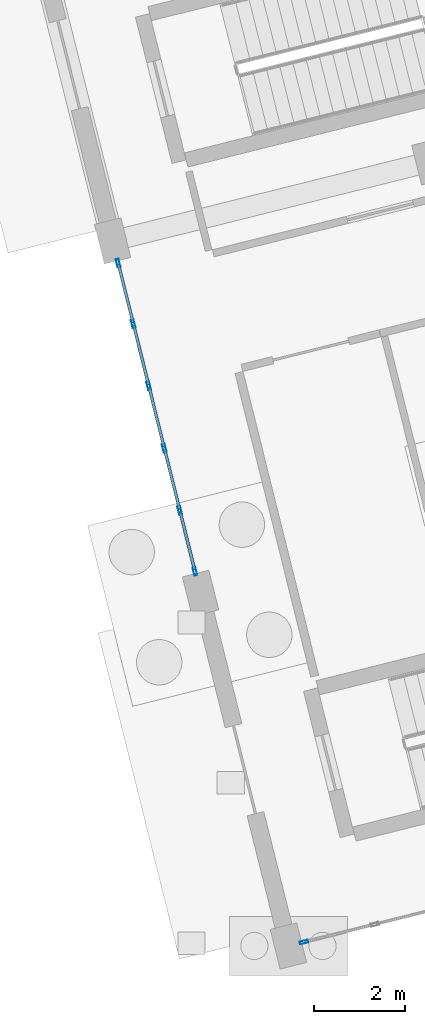
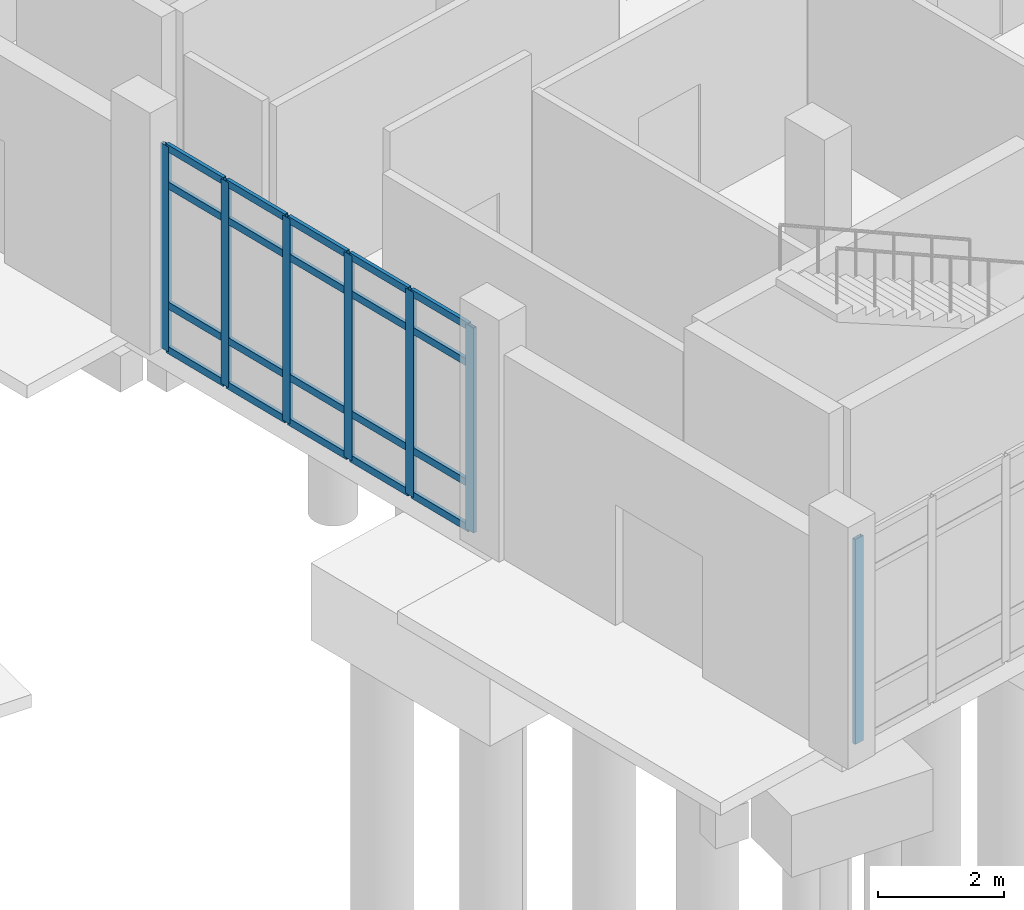
# One storey, part 49 of 173: 27 members, 2 elements without a shape of their own.
"""IFC4 building model written with IfcOpenShell, lengths in metres."""

from ifc_helpers import new_model, si_unit, direction, frame, origin, origin_2d, place, context, subcontext, project, spatial, hollow_rectangle, extrude, material, layer, layer_set, material_profile, profile_set, type_object, element, aggregate, save


model = new_model("IFC4")

# Units and contexts
model_context = context("Model", 3, precision=1e-05, world=origin(), true_north=direction((0.0, 1.0)))
body_context = subcontext(model_context, "Body", "Model", "MODEL_VIEW")
ifc_project = project(units=[si_unit("LENGTHUNIT", "METRE"), si_unit("AREAUNIT", "SQUARE_METRE"), si_unit("VOLUMEUNIT", "CUBIC_METRE"), si_unit("PLANEANGLEUNIT", "RADIAN"), si_unit("MASSUNIT", "GRAM", prefix="KILO")], contexts=[model_context])

# Site, building, storey
site_placement = place(None, origin())
site = spatial("IfcSite", under=ifc_project, at=site_placement, CompositionType="ELEMENT")
building_placement = place(site_placement, origin())
building = spatial("IfcBuilding", under=site, at=building_placement, Name="Mawjan Specialist Oncology Clinic", CompositionType="ELEMENT")
storey_placement = place(building_placement, origin())
storey = spatial("IfcBuildingStorey", under=building, at=storey_placement, Name="L00", CompositionType="ELEMENT", Elevation=0.0)

# Curtain wall, member
ifc_material_1 = material(Name="Unitised spectrally selective aluminium curtain wall", Category="aluminium")
ifc_layer_1 = layer(ifc_material_1, 0.179931640625, Name="Unitised spectrally selective aluminium curtain wall", Category="aluminium")
ifc_layer_set_1 = layer_set([ifc_layer_1], Name="Unitised spectrally selective aluminium curtain wall")
curtain_wall_type_1 = type_object("IfcCurtainWallType", Name="CW-37", PredefinedType="NOTDEFINED", material=ifc_layer_set_1)
curtain_wall_1_placement = place(storey_placement, origin())
curtain_wall_1 = element("IfcCurtainWall", 1, at=curtain_wall_1_placement, inside=storey, type_object=curtain_wall_type_1, Name="L00 Unitised Curtain Wall CW-L00-078", PredefinedType="NOTDEFINED")
ifc_material_2 = material(Name="Thermally broken aluminium 6063-T6", Category="aluminium")
ifc_material_profile_1 = material_profile(ifc_material_2, hollow_rectangle(XDim=0.06494140625, YDim=0.179931640625, WallThickness=0.00390625, at=origin_2d()), Name="ALU MULLION 180x65x4", Category="aluminium")
ifc_profile_set_1 = profile_set([ifc_material_profile_1], Name="Thermally broken aluminium 6063-T6")
member_type_1 = type_object("IfcMemberType", Name="CW-M180", PredefinedType="MULLION", material=ifc_profile_set_1)
member_1_placement = place(storey_placement, frame((126.342041015625, 0.88525390625, 0.0), z_axis=(0.0, 0.0, 1.0), x_axis=(0.241921982475, -0.970295704615, 0.0)))
member_1 = element("IfcMember", 2, at=member_1_placement, type_object=member_type_1, Name="CW-37 mullion 5", PredefinedType="MULLION", context=body_context, shape_type="SweptSolid", body=[
    extrude(hollow_rectangle(XDim=0.06494140625, YDim=0.179931640625, WallThickness=0.00390625, at=origin_2d()), origin(), (0.0, 0.0, 1.0), 3.985107421875),
])
aggregate(curtain_wall_1, [member_1])

# Curtain wall, members
ifc_material_3 = material(Name="Unitised spectrally selective aluminium curtain wall", Category="aluminium")
ifc_layer_2 = layer(ifc_material_3, 0.179931640625, Name="Unitised spectrally selective aluminium curtain wall", Category="aluminium")
ifc_layer_set_2 = layer_set([ifc_layer_2], Name="Unitised spectrally selective aluminium curtain wall")
curtain_wall_type_2 = type_object("IfcCurtainWallType", Name="CW-38", PredefinedType="NOTDEFINED", material=ifc_layer_set_2)
curtain_wall_2_placement = place(storey_placement, origin())
curtain_wall_2 = element("IfcCurtainWall", 3, at=curtain_wall_2_placement, inside=storey, type_object=curtain_wall_type_2, Name="L00 Unitised Curtain Wall CW-L00-079", PredefinedType="NOTDEFINED")
member_2_placement = place(storey_placement, frame((123.943115234375, 9.050048828125, 0.0), z_axis=(0.0, 0.0, 1.0), x_axis=(-0.97029568059, -0.241922078835, 0.0)))
member_2 = element("IfcMember", 4, at=member_2_placement, type_object=member_type_1, Name="CW-38 mullion 1", PredefinedType="MULLION", context=body_context, shape_type="SweptSolid", body=[
    extrude(hollow_rectangle(XDim=0.06494140625, YDim=0.179931640625, WallThickness=0.00390625, at=origin_2d()), origin(), (0.0, 0.0, 1.0), 3.985107421875),
])
member_3_placement = place(storey_placement, frame((123.609375, 10.388427734375, 0.0), z_axis=(0.0, 0.0, 1.0), x_axis=(-0.97029568059, -0.241922078835, 0.0)))
member_3 = element("IfcMember", 5, at=member_3_placement, type_object=member_type_1, Name="CW-38 mullion 2", PredefinedType="MULLION", context=body_context, shape_type="SweptSolid", body=[
    extrude(hollow_rectangle(XDim=0.06494140625, YDim=0.179931640625, WallThickness=0.00390625, at=origin_2d()), origin(), (0.0, 0.0, 1.0), 3.985107421875),
])
member_4_placement = place(storey_placement, frame((123.267822265625, 11.758544921875, 0.0), z_axis=(0.0, 0.0, 1.0), x_axis=(-0.97029568059, -0.241922078835, 0.0)))
member_4 = element("IfcMember", 6, at=member_4_placement, type_object=member_type_1, Name="CW-38 mullion 3", PredefinedType="MULLION", context=body_context, shape_type="SweptSolid", body=[
    extrude(hollow_rectangle(XDim=0.06494140625, YDim=0.179931640625, WallThickness=0.00390625, at=origin_2d()), origin(), (0.0, 0.0, 1.0), 3.985107421875),
])
member_5_placement = place(storey_placement, frame((122.926025390625, 13.128662109375, 0.0), z_axis=(0.0, 0.0, 1.0), x_axis=(-0.97029568059, -0.241922078835, 0.0)))
member_5 = element("IfcMember", 7, at=member_5_placement, type_object=member_type_1, Name="CW-38 mullion 4", PredefinedType="MULLION", context=body_context, shape_type="SweptSolid", body=[
    extrude(hollow_rectangle(XDim=0.06494140625, YDim=0.179931640625, WallThickness=0.00390625, at=origin_2d()), origin(), (0.0, 0.0, 1.0), 3.985107421875),
])
member_6_placement = place(storey_placement, frame((122.58447265625, 14.49853515625, 0.0), z_axis=(0.0, 0.0, 1.0), x_axis=(-0.97029568059, -0.241922078835, 0.0)))
member_6 = element("IfcMember", 8, at=member_6_placement, type_object=member_type_1, Name="CW-38 mullion 5", PredefinedType="MULLION", context=body_context, shape_type="SweptSolid", body=[
    extrude(hollow_rectangle(XDim=0.06494140625, YDim=0.179931640625, WallThickness=0.00390625, at=origin_2d()), origin(), (0.0, 0.0, 1.0), 3.985107421875),
])
member_7_placement = place(storey_placement, frame((122.250732421875, 15.837158203125, 0.0), z_axis=(0.0, 0.0, 1.0), x_axis=(-0.97029568059, -0.241922078835, 0.0)))
member_7 = element("IfcMember", 9, at=member_7_placement, type_object=member_type_1, Name="CW-38 mullion 6", PredefinedType="MULLION", context=body_context, shape_type="SweptSolid", body=[
    extrude(hollow_rectangle(XDim=0.06494140625, YDim=0.179931640625, WallThickness=0.00390625, at=origin_2d()), origin(), (0.0, 0.0, 1.0), 3.985107421875),
])
ifc_material_4 = material(Name="Thermally broken aluminium 6063-T6", Category="aluminium")
ifc_material_profile_2 = material_profile(ifc_material_4, hollow_rectangle(XDim=0.06494140625, YDim=0.139892578125, WallThickness=0.00390625, at=origin_2d()), Name="ALU TRANSOM 140x65x4", Category="aluminium")
ifc_profile_set_2 = profile_set([ifc_material_profile_2], Name="Thermally broken aluminium 6063-T6")
member_type_2 = type_object("IfcMemberType", Name="CW-T140", PredefinedType="USERDEFINED", material=ifc_profile_set_2)
member_8_placement = place(storey_placement, frame((123.935302734375, 9.08154296875, 0.032470703125), z_axis=(-0.242011164703, 0.970273464627, 0.0), x_axis=(-0.970273464627, -0.242011164703, 0.0)))
member_8 = element("IfcMember", 10, at=member_8_placement, type_object=member_type_2, Name="CW-38 transom 1.1", ObjectType="TRANSOM", PredefinedType="USERDEFINED", context=body_context, shape_type="SweptSolid", body=[
    extrude(hollow_rectangle(XDim=0.06494140625, YDim=0.139892578125, WallThickness=0.00390625, at=origin_2d()), origin(), (0.0, 0.0, 1.0), 1.314453125),
])
member_9_placement = place(storey_placement, frame((123.935302734375, 9.08154296875, 0.89990234375), z_axis=(-0.242011164703, 0.970273464627, 0.0), x_axis=(-0.970273464627, -0.242011164703, 0.0)))
member_9 = element("IfcMember", 11, at=member_9_placement, type_object=member_type_2, Name="CW-38 transom 1.2", ObjectType="TRANSOM", PredefinedType="USERDEFINED", context=body_context, shape_type="SweptSolid", body=[
    extrude(hollow_rectangle(XDim=0.06494140625, YDim=0.139892578125, WallThickness=0.00390625, at=origin_2d()), origin(), (0.0, 0.0, 1.0), 1.314453125),
])
member_10_placement = place(storey_placement, frame((123.935302734375, 9.08154296875, 3.235107421875), z_axis=(-0.242011164703, 0.970273464627, 0.0), x_axis=(-0.970273464627, -0.242011164703, 0.0)))
member_10 = element("IfcMember", 12, at=member_10_placement, type_object=member_type_2, Name="CW-38 transom 1.3", ObjectType="TRANSOM", PredefinedType="USERDEFINED", context=body_context, shape_type="SweptSolid", body=[
    extrude(hollow_rectangle(XDim=0.06494140625, YDim=0.139892578125, WallThickness=0.00390625, at=origin_2d()), origin(), (0.0, 0.0, 1.0), 1.314453125),
])
member_11_placement = place(storey_placement, frame((123.935302734375, 9.08154296875, 3.952392578125), z_axis=(-0.242011164703, 0.970273464627, 0.0), x_axis=(-0.970273464627, -0.242011164703, 0.0)))
member_11 = element("IfcMember", 13, at=member_11_placement, type_object=member_type_2, Name="CW-38 transom 1.4", ObjectType="TRANSOM", PredefinedType="USERDEFINED", context=body_context, shape_type="SweptSolid", body=[
    extrude(hollow_rectangle(XDim=0.06494140625, YDim=0.139892578125, WallThickness=0.00390625, at=origin_2d()), origin(), (0.0, 0.0, 1.0), 1.314453125),
])
member_12_placement = place(storey_placement, frame((123.6015625, 10.419921875, 0.032470703125), z_axis=(-0.241938594701, 0.97029156257, 0.0), x_axis=(-0.97029156257, -0.241938594701, 0.0)))
member_12 = element("IfcMember", 14, at=member_12_placement, type_object=member_type_2, Name="CW-38 transom 2.1", ObjectType="TRANSOM", PredefinedType="USERDEFINED", context=body_context, shape_type="SweptSolid", body=[
    extrude(hollow_rectangle(XDim=0.06494140625, YDim=0.139892578125, WallThickness=0.00390625, at=origin_2d()), origin(), (0.0, 0.0, 1.0), 1.34716796875),
])
member_13_placement = place(storey_placement, frame((123.6015625, 10.419921875, 0.89990234375), z_axis=(-0.241938594701, 0.97029156257, 0.0), x_axis=(-0.97029156257, -0.241938594701, 0.0)))
member_13 = element("IfcMember", 15, at=member_13_placement, type_object=member_type_2, Name="CW-38 transom 2.2", ObjectType="TRANSOM", PredefinedType="USERDEFINED", context=body_context, shape_type="SweptSolid", body=[
    extrude(hollow_rectangle(XDim=0.06494140625, YDim=0.139892578125, WallThickness=0.00390625, at=origin_2d()), origin(), (0.0, 0.0, 1.0), 1.34716796875),
])
member_14_placement = place(storey_placement, frame((123.6015625, 10.419921875, 3.235107421875), z_axis=(-0.241938594701, 0.97029156257, 0.0), x_axis=(-0.97029156257, -0.241938594701, 0.0)))
member_14 = element("IfcMember", 16, at=member_14_placement, type_object=member_type_2, Name="CW-38 transom 2.3", ObjectType="TRANSOM", PredefinedType="USERDEFINED", context=body_context, shape_type="SweptSolid", body=[
    extrude(hollow_rectangle(XDim=0.06494140625, YDim=0.139892578125, WallThickness=0.00390625, at=origin_2d()), origin(), (0.0, 0.0, 1.0), 1.34716796875),
])
member_15_placement = place(storey_placement, frame((123.6015625, 10.419921875, 3.952392578125), z_axis=(-0.241938594701, 0.97029156257, 0.0), x_axis=(-0.97029156257, -0.241938594701, 0.0)))
member_15 = element("IfcMember", 17, at=member_15_placement, type_object=member_type_2, Name="CW-38 transom 2.4", ObjectType="TRANSOM", PredefinedType="USERDEFINED", context=body_context, shape_type="SweptSolid", body=[
    extrude(hollow_rectangle(XDim=0.06494140625, YDim=0.139892578125, WallThickness=0.00390625, at=origin_2d()), origin(), (0.0, 0.0, 1.0), 1.34716796875),
])
member_16_placement = place(storey_placement, frame((123.259765625, 11.7900390625, 0.032470703125), z_axis=(-0.241810488368, 0.970323496426, 0.0), x_axis=(-0.970323496426, -0.241810488368, 0.0)))
member_16 = element("IfcMember", 18, at=member_16_placement, type_object=member_type_2, Name="CW-38 transom 3.1", ObjectType="TRANSOM", PredefinedType="USERDEFINED", context=body_context, shape_type="SweptSolid", body=[
    extrude(hollow_rectangle(XDim=0.06494140625, YDim=0.139892578125, WallThickness=0.00390625, at=origin_2d()), origin(), (0.0, 0.0, 1.0), 1.346923828125),
])
member_17_placement = place(storey_placement, frame((123.259765625, 11.7900390625, 0.89990234375), z_axis=(-0.241810488368, 0.970323496426, 0.0), x_axis=(-0.970323496426, -0.241810488368, 0.0)))
member_17 = element("IfcMember", 19, at=member_17_placement, type_object=member_type_2, Name="CW-38 transom 3.2", ObjectType="TRANSOM", PredefinedType="USERDEFINED", context=body_context, shape_type="SweptSolid", body=[
    extrude(hollow_rectangle(XDim=0.06494140625, YDim=0.139892578125, WallThickness=0.00390625, at=origin_2d()), origin(), (0.0, 0.0, 1.0), 1.346923828125),
])
member_18_placement = place(storey_placement, frame((123.259765625, 11.7900390625, 3.235107421875), z_axis=(-0.241810488368, 0.970323496426, 0.0), x_axis=(-0.970323496426, -0.241810488368, 0.0)))
member_18 = element("IfcMember", 20, at=member_18_placement, type_object=member_type_2, Name="CW-38 transom 3.3", ObjectType="TRANSOM", PredefinedType="USERDEFINED", context=body_context, shape_type="SweptSolid", body=[
    extrude(hollow_rectangle(XDim=0.06494140625, YDim=0.139892578125, WallThickness=0.00390625, at=origin_2d()), origin(), (0.0, 0.0, 1.0), 1.346923828125),
])
member_19_placement = place(storey_placement, frame((123.259765625, 11.7900390625, 3.952392578125), z_axis=(-0.241810488368, 0.970323496426, 0.0), x_axis=(-0.970323496426, -0.241810488368, 0.0)))
member_19 = element("IfcMember", 21, at=member_19_placement, type_object=member_type_2, Name="CW-38 transom 3.4", ObjectType="TRANSOM", PredefinedType="USERDEFINED", context=body_context, shape_type="SweptSolid", body=[
    extrude(hollow_rectangle(XDim=0.06494140625, YDim=0.139892578125, WallThickness=0.00390625, at=origin_2d()), origin(), (0.0, 0.0, 1.0), 1.346923828125),
])
member_20_placement = place(storey_placement, frame((122.918212890625, 13.16015625, 0.032470703125), z_axis=(-0.241810488368, 0.970323496426, 0.0), x_axis=(-0.970323496426, -0.241810488368, 0.0)))
member_20 = element("IfcMember", 22, at=member_20_placement, type_object=member_type_2, Name="CW-38 transom 4.1", ObjectType="TRANSOM", PredefinedType="USERDEFINED", context=body_context, shape_type="SweptSolid", body=[
    extrude(hollow_rectangle(XDim=0.06494140625, YDim=0.139892578125, WallThickness=0.00390625, at=origin_2d()), origin(), (0.0, 0.0, 1.0), 1.346923828125),
])
member_21_placement = place(storey_placement, frame((122.918212890625, 13.16015625, 0.89990234375), z_axis=(-0.241810488368, 0.970323496426, 0.0), x_axis=(-0.970323496426, -0.241810488368, 0.0)))
member_21 = element("IfcMember", 23, at=member_21_placement, type_object=member_type_2, Name="CW-38 transom 4.2", ObjectType="TRANSOM", PredefinedType="USERDEFINED", context=body_context, shape_type="SweptSolid", body=[
    extrude(hollow_rectangle(XDim=0.06494140625, YDim=0.139892578125, WallThickness=0.00390625, at=origin_2d()), origin(), (0.0, 0.0, 1.0), 1.346923828125),
])
member_22_placement = place(storey_placement, frame((122.918212890625, 13.16015625, 3.235107421875), z_axis=(-0.241810488368, 0.970323496426, 0.0), x_axis=(-0.970323496426, -0.241810488368, 0.0)))
member_22 = element("IfcMember", 24, at=member_22_placement, type_object=member_type_2, Name="CW-38 transom 4.3", ObjectType="TRANSOM", PredefinedType="USERDEFINED", context=body_context, shape_type="SweptSolid", body=[
    extrude(hollow_rectangle(XDim=0.06494140625, YDim=0.139892578125, WallThickness=0.00390625, at=origin_2d()), origin(), (0.0, 0.0, 1.0), 1.346923828125),
])
member_23_placement = place(storey_placement, frame((122.918212890625, 13.16015625, 3.952392578125), z_axis=(-0.241810488368, 0.970323496426, 0.0), x_axis=(-0.970323496426, -0.241810488368, 0.0)))
member_23 = element("IfcMember", 25, at=member_23_placement, type_object=member_type_2, Name="CW-38 transom 4.4", ObjectType="TRANSOM", PredefinedType="USERDEFINED", context=body_context, shape_type="SweptSolid", body=[
    extrude(hollow_rectangle(XDim=0.06494140625, YDim=0.139892578125, WallThickness=0.00390625, at=origin_2d()), origin(), (0.0, 0.0, 1.0), 1.346923828125),
])
member_24_placement = place(storey_placement, frame((122.57666015625, 14.5302734375, 0.032470703125), z_axis=(-0.241836297417, 0.97031706429, 0.0), x_axis=(-0.97031706429, -0.241836297417, 0.0)))
member_24 = element("IfcMember", 26, at=member_24_placement, type_object=member_type_2, Name="CW-38 transom 5.1", ObjectType="TRANSOM", PredefinedType="USERDEFINED", context=body_context, shape_type="SweptSolid", body=[
    extrude(hollow_rectangle(XDim=0.06494140625, YDim=0.139892578125, WallThickness=0.00390625, at=origin_2d()), origin(), (0.0, 0.0, 1.0), 1.314453125),
])
member_25_placement = place(storey_placement, frame((122.57666015625, 14.5302734375, 0.89990234375), z_axis=(-0.241836297417, 0.97031706429, 0.0), x_axis=(-0.97031706429, -0.241836297417, 0.0)))
member_25 = element("IfcMember", 27, at=member_25_placement, type_object=member_type_2, Name="CW-38 transom 5.2", ObjectType="TRANSOM", PredefinedType="USERDEFINED", context=body_context, shape_type="SweptSolid", body=[
    extrude(hollow_rectangle(XDim=0.06494140625, YDim=0.139892578125, WallThickness=0.00390625, at=origin_2d()), origin(), (0.0, 0.0, 1.0), 1.314453125),
])
member_26_placement = place(storey_placement, frame((122.57666015625, 14.5302734375, 3.235107421875), z_axis=(-0.241836297417, 0.97031706429, 0.0), x_axis=(-0.97031706429, -0.241836297417, 0.0)))
member_26 = element("IfcMember", 28, at=member_26_placement, type_object=member_type_2, Name="CW-38 transom 5.3", ObjectType="TRANSOM", PredefinedType="USERDEFINED", context=body_context, shape_type="SweptSolid", body=[
    extrude(hollow_rectangle(XDim=0.06494140625, YDim=0.139892578125, WallThickness=0.00390625, at=origin_2d()), origin(), (0.0, 0.0, 1.0), 1.314453125),
])
member_27_placement = place(storey_placement, frame((122.57666015625, 14.5302734375, 3.952392578125), z_axis=(-0.241836297417, 0.97031706429, 0.0), x_axis=(-0.97031706429, -0.241836297417, 0.0)))
member_27 = element("IfcMember", 29, at=member_27_placement, type_object=member_type_2, Name="CW-38 transom 5.4", ObjectType="TRANSOM", PredefinedType="USERDEFINED", context=body_context, shape_type="SweptSolid", body=[
    extrude(hollow_rectangle(XDim=0.06494140625, YDim=0.139892578125, WallThickness=0.00390625, at=origin_2d()), origin(), (0.0, 0.0, 1.0), 1.314453125),
])
aggregate(curtain_wall_2, [member_2, member_3, member_4, member_5, member_6, member_7, member_8, member_9, member_10, member_11, member_12, member_13, member_14, member_15, member_16, member_17, member_18, member_19, member_20, member_21, member_22, member_23, member_24, member_25, member_26, member_27])

save(model, "model.ifc")
